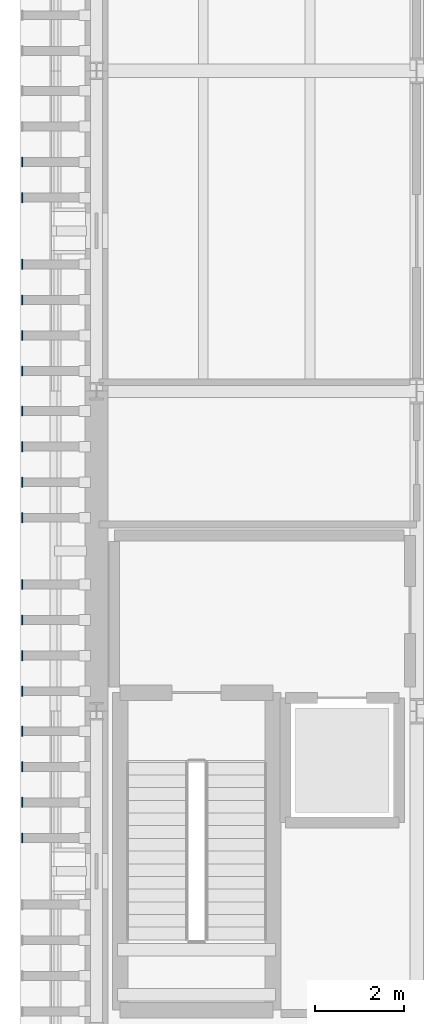
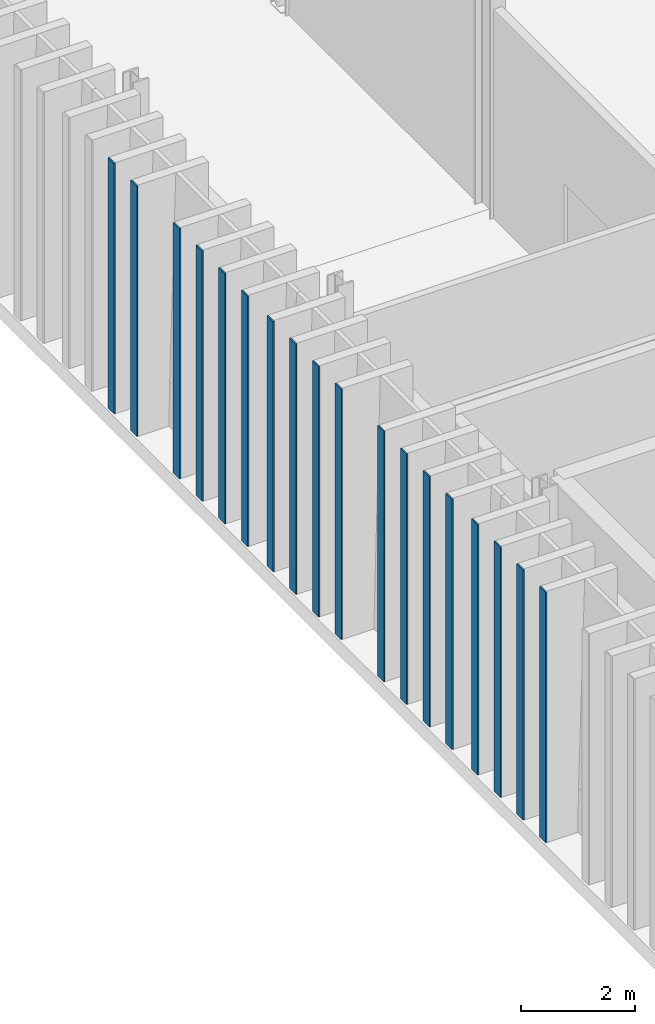
# One storey, part 50 of 120: 18 plates.
"""IFC4 building model written with IfcOpenShell, lengths in metres."""

from ifc_helpers import new_model, si_unit, direction, frame, origin, origin_2d, place, context, subcontext, project, spatial, rectangle, extrude, material, layer, layer_set, type_object, element, save


model = new_model("IFC4")

# Units and contexts
model_context = context("Model", 3, precision=1e-05, world=origin(), true_north=direction((0.0, 1.0)))
body_context = subcontext(model_context, "Body", "Model", "MODEL_VIEW")
ifc_project = project(units=[si_unit("LENGTHUNIT", "METRE"), si_unit("AREAUNIT", "SQUARE_METRE"), si_unit("VOLUMEUNIT", "CUBIC_METRE"), si_unit("PLANEANGLEUNIT", "RADIAN"), si_unit("MASSUNIT", "GRAM", prefix="KILO")], contexts=[model_context])

# Site, building, storey
site_placement = place(None, origin())
site = spatial("IfcSite", under=ifc_project, at=site_placement, CompositionType="ELEMENT")
building_placement = place(site_placement, origin())
building = spatial("IfcBuilding", under=site, at=building_placement, Name="Narikvali Park Central Library", CompositionType="ELEMENT")
storey_placement = place(building_placement, origin())
storey = spatial("IfcBuildingStorey", under=building, at=storey_placement, Name="L00", CompositionType="ELEMENT", Elevation=0.0)

# Plates
ifc_material = material(Name="Anodised Bronze Aluminium", Category="aluminium")
ifc_layer = layer(ifc_material, 0.028076171875, Name="Anodised Bronze Aluminium")
ifc_layer_set = layer_set([ifc_layer], Name="Anodised Bronze Aluminium")
plate_type = type_object("IfcPlateType", Name="Vertical Brick Fin Bronze Bullnose Cap 28", PredefinedType="SHEET", material=ifc_layer_set)
for number, where, z_axis, x_axis, name in (
    (1, (-1.672119140625, 47.550048828125, 0.010009765625), (0.0, 0.0, 1.0), (1.0, 0.0, 0.0), "West Stacks Fin Bullnose Trim 097"),
    (2, (-1.672119140625, 48.35009765625, 0.010009765625), (0.0, 0.0, 1.0), (1.0, 0.0, 0.0), "West Stacks Fin Bullnose Trim 103"),
    (3, (-1.672119140625, 49.14990234375, 0.010009765625), (0.0, 0.0, 1.0), (1.0, 0.0, 0.0), "West Stacks Fin Bullnose Trim 109"),
    (4, (-1.672119140625, 49.949951171875, 0.010009765625), (0.0, 0.0, 1.0), (1.0, 0.0, 0.0), "West Stacks Fin Bullnose Trim 115"),
    (5, (-1.672119140625, 50.85009765625, 0.010009765625), (0.0, 0.0, 1.0), (1.0, 0.0, 0.0), "West Stacks Fin Bullnose Trim 121"),
    (6, (-1.672119140625, 51.64990234375, 0.010009765625), (0.0, 0.0, 1.0), (1.0, 0.0, 0.0), "West Stacks Fin Bullnose Trim 127"),
    (7, (-1.672119140625, 52.449951171875, 0.010009765625), (0.0, 0.0, 1.0), (1.0, 0.0, 0.0), "West Stacks Fin Bullnose Trim 133"),
    (8, (-1.672119140625, 53.25, 0.010009765625), (0.0, 0.0, 1.0), (1.0, 0.0, 0.0), "West Stacks Fin Bullnose Trim 139"),
    (9, (-1.672119140625, 54.75, 0.010009765625), (0.0, 0.0, 1.0), (1.0, 0.0, 0.0), "West Stacks Fin Bullnose Trim 145"),
    (10, (-1.672119140625, 55.550048828125, 0.010009765625), (0.0, 0.0, 1.0), (1.0, 0.0, 0.0), "West Stacks Fin Bullnose Trim 151"),
    (11, (-1.672119140625, 56.35009765625, 0.010009765625), (0.0, 0.0, 1.0), (1.0, 0.0, 0.0), "West Stacks Fin Bullnose Trim 157"),
    (12, (-1.672119140625, 57.14990234375, 0.010009765625), (0.0, 0.0, 1.0), (1.0, 0.0, 0.0), "West Stacks Fin Bullnose Trim 163"),
    (13, (-1.672119140625, 58.050048828125, 0.010009765625), (0.0, 0.0, 1.0), (1.0, 0.0, 0.0), "West Stacks Fin Bullnose Trim 169"),
    (14, (-1.672119140625, 58.85009765625, 0.010009765625), (0.0, 0.0, 1.0), (1.0, 0.0, 0.0), "West Stacks Fin Bullnose Trim 175"),
    (15, (-1.672119140625, 59.64990234375, 0.010009765625), (0.0, 0.0, 1.0), (1.0, 0.0, 0.0), "West Stacks Fin Bullnose Trim 181"),
    (16, (-1.672119140625, 60.449951171875, 0.010009765625), (0.0, 0.0, 1.0), (1.0, 0.0, 0.0), "West Stacks Fin Bullnose Trim 187"),
    (17, (-1.672119140625, 61.949951171875, 0.010009765625), (0.0, 0.0, 1.0), (1.0, 0.0, 0.0), "West Stacks Fin Bullnose Trim 193"),
    (18, (-1.672119140625, 62.75, 0.010009765625), (0.0, 0.0, 1.0), (1.0, 0.0, 0.0), "West Stacks Fin Bullnose Trim 199"),
):
    element("IfcPlate", number, at=place(storey_placement, frame(where, z_axis=z_axis, x_axis=x_axis)), inside=storey, type_object=plate_type, Name=name, PredefinedType="SHEET", context=body_context, shape_type="SweptSolid", body=[
        extrude(rectangle(XDim=0.028076171875, YDim=0.219970703125, at=origin_2d()), origin(), (0.0, 0.0, 1.0), 5.3798828125),
    ])

save(model, "model.ifc")
